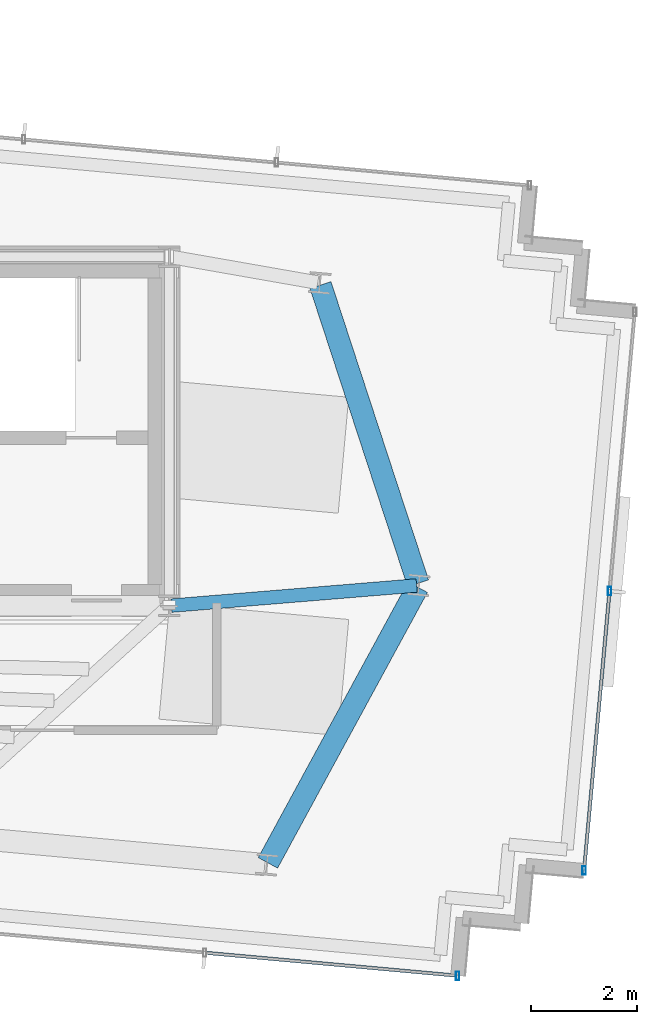
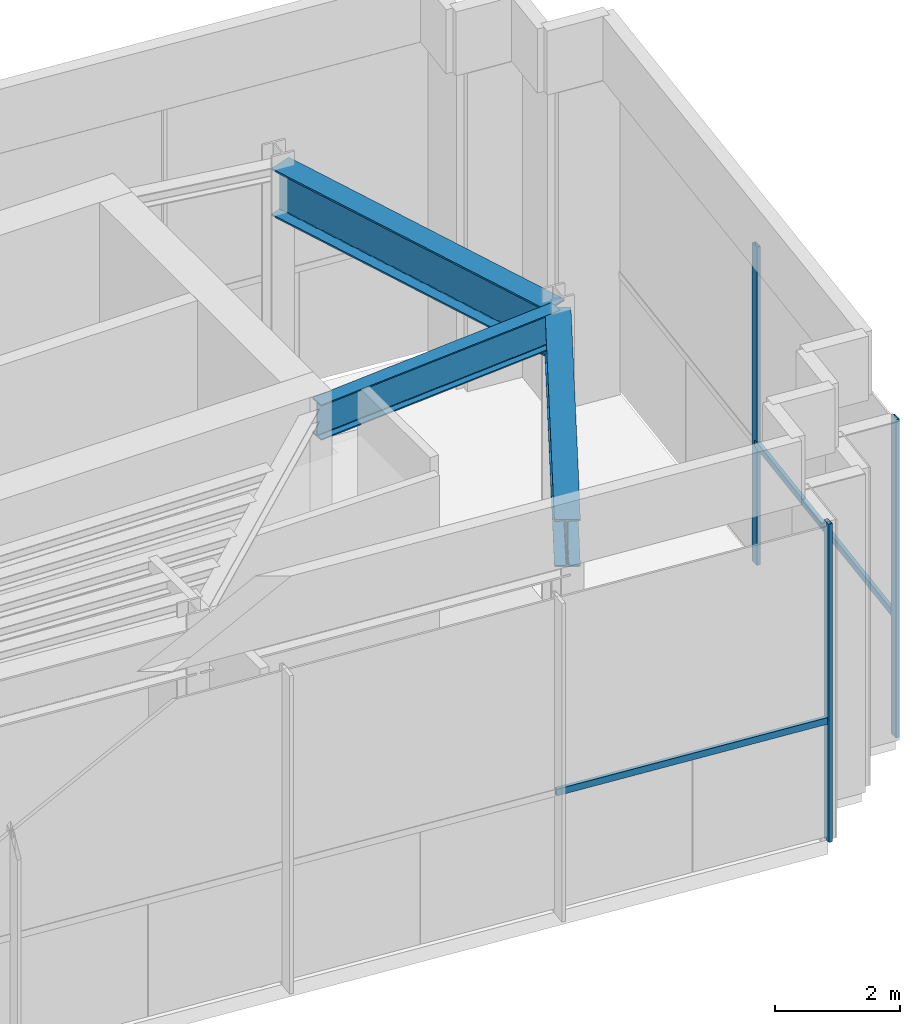
# One storey, part 12 of 18: 5 members, 3 beams, 2 elements without a shape of their own.
"""IFC4 building model written with IfcOpenShell, lengths in metres."""

from ifc_helpers import new_model, si_unit, direction, frame, origin, origin_2d, place, context, subcontext, project, spatial, hollow_rectangle, i_section, extrude, source, transform, mapped, material, material_profile, profile_set, type_object, type_shapes, element, aggregate, save


model = new_model("IFC4")

# Units and contexts
model_context = context("Model", 3, precision=1e-05, world=origin(), true_north=direction((0.0, 1.0)))
body_context = subcontext(model_context, "Body", "Model", "MODEL_VIEW")
ifc_project = project(units=[si_unit("LENGTHUNIT", "METRE"), si_unit("AREAUNIT", "SQUARE_METRE"), si_unit("VOLUMEUNIT", "CUBIC_METRE"), si_unit("PLANEANGLEUNIT", "RADIAN"), si_unit("MASSUNIT", "GRAM", prefix="KILO")], contexts=[model_context])

# Site, building, storey
site_placement = place(None, origin())
site = spatial("IfcSite", under=ifc_project, at=site_placement, CompositionType="ELEMENT")
building_placement = place(site_placement, origin())
building = spatial("IfcBuilding", under=site, at=building_placement, Name="Astriad Promenade Condominiums", CompositionType="ELEMENT")
storey_placement = place(building_placement, frame((0.0, 0.0, 290.300048828125)))
storey = spatial("IfcBuildingStorey", under=building, at=storey_placement, Name="L80", CompositionType="ELEMENT", Elevation=290.300048828125)

# Beams
ifc_material_1 = material(Name="Steel ASTM A992 Grade 50", Category="steel")
ifc_material_profile_1 = material_profile(ifc_material_1, i_section(OverallWidth=0.255859375, OverallDepth=0.693115234375, WebThickness=0.014404296875, FlangeThickness=0.023681640625, FilletRadius=0.020263671875, at=origin_2d()), Name="W27X114")
ifc_profile_set_1 = profile_set([ifc_material_profile_1], Name="Steel ASTM A992 Grade 50")
beam_type_1 = type_object("IfcBeamType", Name="STEEL FLOOR GIRDER W27X114", PredefinedType="BEAM", material=ifc_profile_set_1)
shared_shape_1 = source(origin(), body_context, "Body", "SweptSolid", [
    extrude(i_section(OverallWidth=0.255859375, OverallDepth=0.693115234375, WebThickness=0.014404296875, FlangeThickness=0.023681640625, FilletRadius=0.020263671875, at=origin_2d()), origin(), (0.0, 0.0, 1.0), 4.651611328125),
])
type_shapes(beam_type_1, [shared_shape_1])
beam_placement = place(storey_placement, frame((50.27587890625, 17.78466796875, 5.873291015625), z_axis=(-0.996633871262, -0.081981257934, 0.0), x_axis=(0.081981257934, -0.996633871262, 0.0)))
element("IfcBeam", 1, at=beam_placement, inside=storey, type_object=beam_type_1, Name="Primary Floor Girder PG-EM-L80", PredefinedType="BEAM", context=body_context, shape_type="MappedRepresentation", body=[
    mapped(shared_shape_1, transform((0.0, 0.0, 0.0), scale=1.0)),
])
ifc_material_profile_2 = material_profile(ifc_material_1, i_section(OverallWidth=0.418212890625, OverallDepth=0.926513671875, WebThickness=0.019287109375, FlangeThickness=0.031982421875, FilletRadius=0.024169921875, at=origin_2d()), Name="W36X231")
ifc_profile_set_2 = profile_set([ifc_material_profile_2], Name="Steel ASTM A992 Grade 50")
beam_type_2 = type_object("IfcBeamType", Name="STEEL CROWN RING BEAM W36X231", PredefinedType="BEAM", material=ifc_profile_set_2)
shared_shape_2 = source(origin(), body_context, "Body", "SweptSolid", [
    extrude(i_section(OverallWidth=0.418212890625, OverallDepth=0.926513671875, WebThickness=0.019287109375, FlangeThickness=0.031982421875, FilletRadius=0.024169921875, at=origin_2d()), origin(), (0.0, 0.0, 1.0), 5.93115234375),
])
type_shapes(beam_type_2, [shared_shape_2])
for number, where, z_axis, x_axis, name in (
    (2, (47.464599609375, 12.54150390625, 5.756591796875), (0.477527827146, 0.878616625327, 0.0), (-0.878616625327, 0.477527827146, 0.0), "Perimeter Spandrel Beam SP-E1-L80"),
    (3, (50.303466796875, 17.825927734375, 5.756591796875), (-0.311061368201, 0.950389828025, 0.0), (-0.950389828025, -0.311061368201, 0.0), "Perimeter Spandrel Beam SP-E2-L80"),
):
    element("IfcBeam", number, at=place(storey_placement, frame(where, z_axis=z_axis, x_axis=x_axis)), inside=storey, type_object=beam_type_2, Name=name, PredefinedType="BEAM", context=body_context, shape_type="MappedRepresentation", body=[
        mapped(shared_shape_2, transform((0.0, 0.0, 0.0), scale=1.0)),
    ])

# Curtain wall, members
ifc_material_2 = material(Name="Anodised aluminium Black Dark Glass Unitised", Category="aluminium")
curtain_wall_type = type_object("IfcCurtainWallType", Name="CW-TMD-LANTERN", PredefinedType="USERDEFINED", material=ifc_material_2)
curtain_wall_1_placement = place(storey_placement, origin())
curtain_wall_1 = element("IfcCurtainWall", 4, at=curtain_wall_1_placement, inside=storey, type_object=curtain_wall_type, Name="CW-CRN-L80-13", ObjectType="UNITISED_CURTAIN_WALL", PredefinedType="USERDEFINED")
ifc_material_3 = material(Name="Anodised aluminium 6063-T6 Black", Category="aluminium")
ifc_material_profile_3 = material_profile(ifc_material_3, hollow_rectangle(XDim=0.06494140625, YDim=0.1298828125, WallThickness=0.00390625, at=origin_2d()), Name="ALU-TRN-65X130")
ifc_profile_set_3 = profile_set([ifc_material_profile_3], Name="Anodised aluminium 6063-T6 Black")
member_type_1 = type_object("IfcMemberType", Name="TRN-ALU-TRN-65X130", PredefinedType="USERDEFINED", material=ifc_profile_set_3)
shared_shape_3 = source(origin(), body_context, "Body", "SweptSolid", [
    extrude(hollow_rectangle(XDim=0.06494140625, YDim=0.1298828125, WallThickness=0.00390625, at=origin_2d()), origin(), (0.0, 0.0, 1.0), 5.2998046875),
])
member_1_placement = place(storey_placement, frame((53.921875, 17.677978515625, 2.349853515625), z_axis=(-0.090656194392, -0.995882249274, 0.0), x_axis=(0.995882249274, -0.090656194392, 0.0)))
member_1 = element("IfcMember", 5, at=member_1_placement, type_object=member_type_1, Name="CW-CRN-L80-13-TRN-01-0", ObjectType="TRANSOM", PredefinedType="USERDEFINED", context=body_context, shape_type="MappedRepresentation", body=[
    mapped(shared_shape_3, transform((0.0, 0.0, 0.0), scale=1.0)),
])
ifc_material_profile_4 = material_profile(ifc_material_3, hollow_rectangle(XDim=0.06494140625, YDim=0.159912109375, WallThickness=0.00390625, at=origin_2d()), Name="ALU-MUL-65X160")
ifc_profile_set_4 = profile_set([ifc_material_profile_4], Name="Anodised aluminium 6063-T6 Black")
member_type_2 = type_object("IfcMemberType", Name="MUL-ALU-MUL-65X160", PredefinedType="MULLION", material=ifc_profile_set_4)
shared_shape_4 = source(origin(), body_context, "Body", "SweptSolid", [
    extrude(hollow_rectangle(XDim=0.06494140625, YDim=0.159912109375, WallThickness=0.00390625, at=origin_2d()), origin(), (0.0, 0.0, 1.0), 6.219970703125),
])
type_shapes(member_type_2, [shared_shape_4])
member_2_placement = place(storey_placement, frame((53.921875, 17.677978515625, 0.0), z_axis=(0.0, 0.0, 1.0), x_axis=(1.0, 0.0, 0.0)))
member_2 = element("IfcMember", 6, at=member_2_placement, type_object=member_type_2, Name="CW-CRN-L80-13-MUL-01", PredefinedType="MULLION", context=body_context, shape_type="MappedRepresentation", body=[
    mapped(shared_shape_4, transform((0.0, 0.0, 0.0), scale=1.0)),
])
member_3_placement = place(storey_placement, frame((53.44140625, 12.39990234375, 0.0), z_axis=(0.0, 0.0, 1.0), x_axis=(1.0, 0.0, 0.0)))
member_3 = element("IfcMember", 7, at=member_3_placement, type_object=member_type_2, Name="CW-CRN-L80-13-MUL-02", PredefinedType="MULLION", context=body_context, shape_type="MappedRepresentation", body=[
    mapped(shared_shape_4, transform((0.0, 0.0, 0.0), scale=1.0)),
])
aggregate(curtain_wall_1, [member_2, member_3, member_1])

curtain_wall_2_placement = place(storey_placement, origin())
curtain_wall_2 = element("IfcCurtainWall", 8, at=curtain_wall_2_placement, inside=storey, type_object=curtain_wall_type, Name="CW-CRN-L80-18", ObjectType="UNITISED_CURTAIN_WALL", PredefinedType="USERDEFINED")
member_4_placement = place(storey_placement, frame((51.051025390625, 10.408203125, 0.0), z_axis=(0.0, 0.0, 1.0), x_axis=(1.0, 0.0, 0.0)))
member_4 = element("IfcMember", 9, at=member_4_placement, type_object=member_type_2, Name="CW-CRN-L80-18-MUL-00", PredefinedType="MULLION", context=body_context, shape_type="MappedRepresentation", body=[
    mapped(shared_shape_4, transform((0.0, 0.0, 0.0), scale=1.0)),
])
shared_shape_5 = source(origin(), body_context, "Body", "SweptSolid", [
    extrude(hollow_rectangle(XDim=0.06494140625, YDim=0.1298828125, WallThickness=0.00390625, at=origin_2d()), origin(), (0.0, 0.0, 1.0), 4.7998046875),
])
type_shapes(member_type_1, [shared_shape_3, shared_shape_5])
member_5_placement = place(storey_placement, frame((51.051025390625, 10.408203125, 2.349853515625), z_axis=(-0.9958836116, 0.090641227635, 0.0), x_axis=(-0.090641227635, -0.9958836116, 0.0)))
member_5 = element("IfcMember", 10, at=member_5_placement, type_object=member_type_1, Name="CW-CRN-L80-18-TRN-00-0", ObjectType="TRANSOM", PredefinedType="USERDEFINED", context=body_context, shape_type="MappedRepresentation", body=[
    mapped(shared_shape_5, transform((0.0, 0.0, 0.0), scale=1.0)),
])
aggregate(curtain_wall_2, [member_4, member_5])

save(model, "model.ifc")
